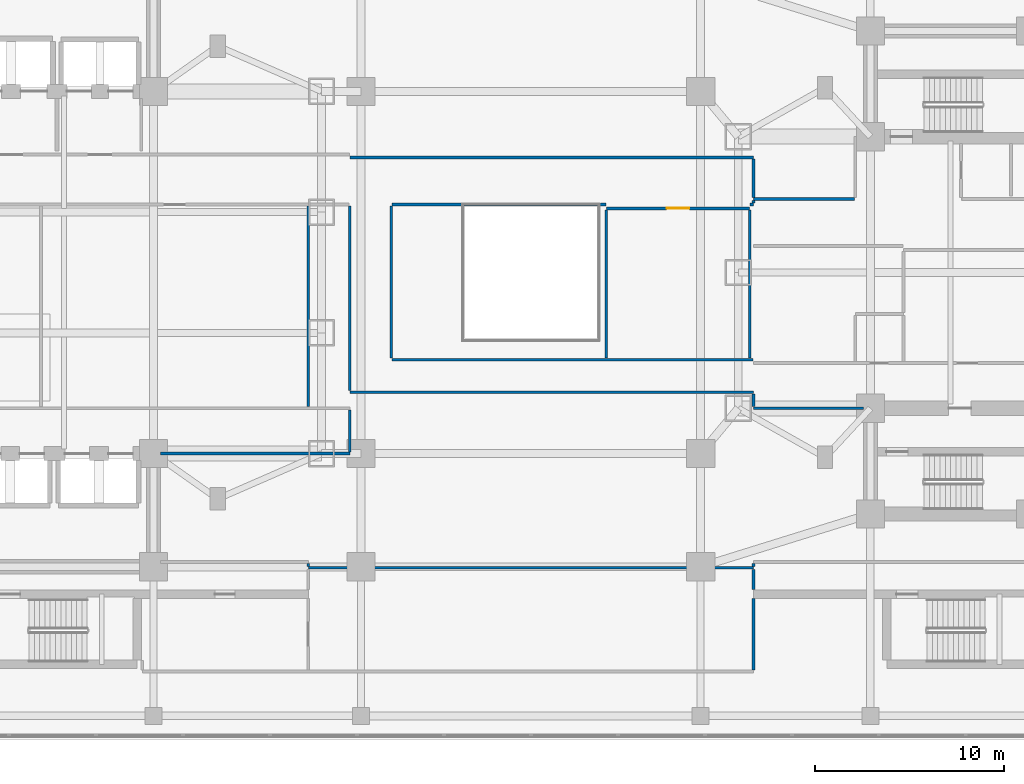
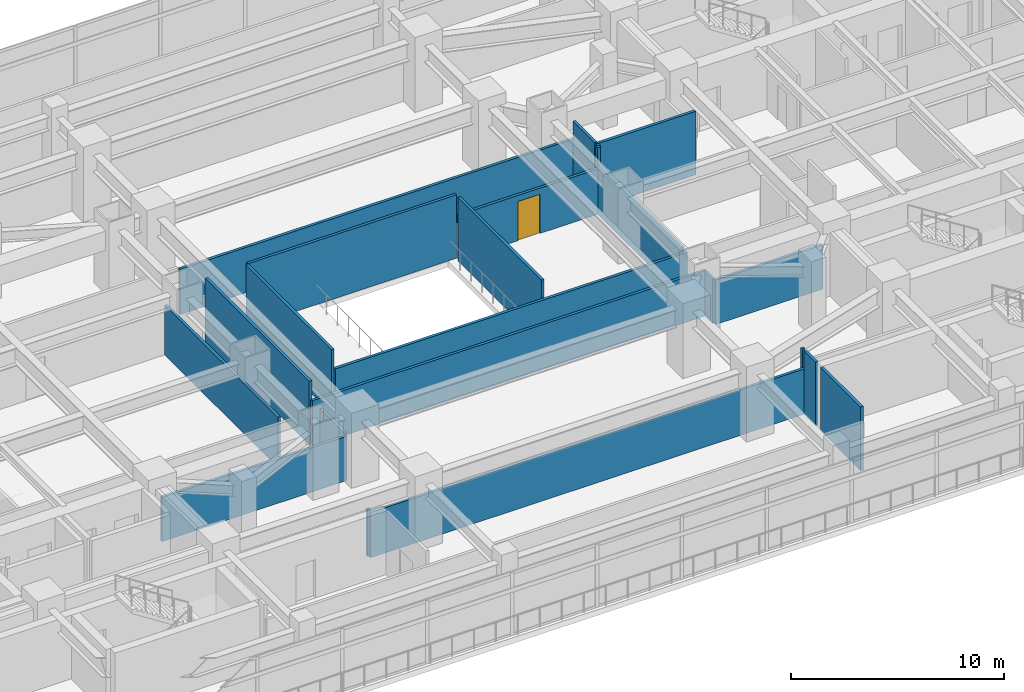
# One storey, part 14 of 26: 23 walls, 1 door, 1 opening.
"""IFC4 building model written with IfcOpenShell, lengths in metres."""

from ifc_helpers import new_model, si_unit, direction, frame, frame_2d, origin, place, context, subcontext, project, spatial, rectangle, extrude, material, layer, layer_set, type_object, element, fill, save


model = new_model("IFC4")

# Units and contexts
model_context = context("Model", 3, precision=1e-05, world=origin(), true_north=direction((0.0, 1.0)))
body_context = subcontext(model_context, "Body", "Model", "MODEL_VIEW")
ifc_project = project(units=[si_unit("LENGTHUNIT", "METRE"), si_unit("AREAUNIT", "SQUARE_METRE"), si_unit("VOLUMEUNIT", "CUBIC_METRE"), si_unit("PLANEANGLEUNIT", "RADIAN"), si_unit("MASSUNIT", "GRAM", prefix="KILO")], contexts=[model_context])

# Site, building, storey
site_placement = place(None, origin())
site = spatial("IfcSite", under=ifc_project, at=site_placement, CompositionType="ELEMENT")
building_placement = place(site_placement, origin())
building = spatial("IfcBuilding", under=site, at=building_placement, Name="Mirazonda Arch Towers", CompositionType="ELEMENT")
storey_placement = place(building_placement, frame((0.0, 0.0, 13.800048828125)))
storey = spatial("IfcBuildingStorey", under=building, at=storey_placement, Name="L03", CompositionType="ELEMENT", Elevation=13.800048828125)

# Walls
ifc_material_1 = material(Name="Fire-Rated Gypsum Stud Partition")
ifc_layer = layer(ifc_material_1, 0.14990234375, Name="WALL-PART-CORR-150")
ifc_layer_set = layer_set([ifc_layer], Name="Fire-Rated Gypsum Stud Partition")
wall_type = type_object("IfcWallType", Name="WALL-PART-CORR-150", PredefinedType="PARTITIONING", material=ifc_layer_set)
wall_1_placement = place(storey_placement, frame((38.199951171875, 12.35009765625, 0.0), z_axis=(0.0, 0.0, 1.0), x_axis=(1.0, 0.0, 0.0)))
element("IfcWall", 1, at=wall_1_placement, inside=storey, type_object=wall_type, Name="L03 Interior Partition 011", PredefinedType="PARTITIONING", context=body_context, shape_type="SweptSolid", body=[
    extrude(rectangle(XDim=23.60009765625, YDim=0.14990234375, at=frame_2d((11.800048828125, 0.0))), origin(), (0.0, 0.0, 1.0), 2.60205078125),
])
wall_2_placement = place(storey_placement, frame((30.3701171875, 18.39990234375, 0.0), z_axis=(0.0, 0.0, 1.0), x_axis=(1.0, 0.0, 0.0)))
element("IfcWall", 2, at=wall_2_placement, inside=storey, type_object=wall_type, Name="L03 Interior Partition 021", PredefinedType="PARTITIONING", context=body_context, shape_type="SweptSolid", body=[
    extrude(rectangle(XDim=10.02978515625, YDim=0.14990234375, at=frame_2d((5.014892578125, 0.0))), origin(), (0.0, 0.0, 1.0), 2.5419921875),
])
wall_3_placement = place(storey_placement, frame((61.800048828125, 20.800048828125, 0.0), z_axis=(0.0, 0.0, 1.0), x_axis=(1.0, 0.0, 0.0)))
element("IfcWall", 3, at=wall_3_placement, inside=storey, type_object=wall_type, Name="L03 Interior Partition 025", PredefinedType="PARTITIONING", context=body_context, shape_type="SweptSolid", body=[
    extrude(rectangle(XDim=5.829833984375, YDim=0.14990234375, at=frame_2d((2.9150390625, 0.0))), origin(), (0.0, 0.0, 1.0), 2.5419921875),
])
wall_4_placement = place(storey_placement, frame((40.39990234375, 21.64990234375, 0.0), z_axis=(0.0, 0.0, 1.0), x_axis=(1.0, 0.0, 0.0)))
element("IfcWall", 4, at=wall_4_placement, inside=storey, type_object=wall_type, Name="L03 Interior Partition 027", PredefinedType="PARTITIONING", context=body_context, shape_type="SweptSolid", body=[
    extrude(rectangle(XDim=21.400146484375, YDim=0.14990234375, at=frame_2d((10.7001953125, 0.0))), origin(), (0.0, 0.0, 1.0), 2.60205078125),
])
wall_5_placement = place(storey_placement, frame((42.64990234375, 23.375, 0.0), z_axis=(0.0, 0.0, 1.0), x_axis=(1.0, 0.0, 0.0)))
element("IfcWall", 5, at=wall_5_placement, inside=storey, type_object=wall_type, Name="L03 Interior Partition 029", PredefinedType="PARTITIONING", context=body_context, shape_type="SweptSolid", body=[
    extrude(rectangle(XDim=19.130126953125, YDim=0.14990234375, at=frame_2d((9.56494140625, 0.0))), origin(), (0.0, 0.0, 1.0), 2.60205078125),
])

# Wall, opening, door
wall_6_placement = place(storey_placement, frame((54.0, 31.39990234375, 0.0), z_axis=(0.0, 0.0, 1.0), x_axis=(1.0, 0.0, 0.0)))
wall_6 = element("IfcWall", 6, at=wall_6_placement, inside=storey, type_object=wall_type, Name="L03 Interior Partition 039", PredefinedType="PARTITIONING", context=body_context, shape_type="SweptSolid", body=[
    extrude(rectangle(XDim=7.60009765625, YDim=0.14990234375, at=frame_2d((3.800048828125, 0.0))), origin(), (0.0, 0.0, 1.0), 2.60205078125),
])
opening_placement = place(wall_6_placement, frame((3.199951171875, 0.0, 0.0)))
opening = element("IfcOpeningElement", 7, at=opening_placement, cuts=wall_6, Name="Opening DR-117", PredefinedType="OPENING", context=body_context, shape_type="SweptSolid", body=[
    extrude(rectangle(XDim=1.199951171875, YDim=2.25, at=frame_2d((0.60009765625, 1.125))), frame((0.0, 0.0849609375, 0.0), z_axis=(0.0, -1.0, 0.0), x_axis=(1.0, 0.0, 0.0)), (0.0, 0.0, 1.0), 0.169921875),
])
ifc_material_2 = material(Name="Architectural Brushed Steel S355", Category="steel")
door_type = type_object("IfcDoorType", Name="DOOR-FFL-FD90-1200", OperationType="NOTDEFINED", PredefinedType="DOOR", material=ifc_material_2)
door_placement = place(opening_placement, origin())
door = element("IfcDoor", 8, at=door_placement, inside=storey, type_object=door_type, Name="L03 L03 Arch-Crown East Hall Door", OperationType="SINGLE_SWING_RIGHT", OverallHeight=2.25, OverallWidth=1.199951171875, PredefinedType="DOOR", context=body_context, shape_type="SweptSolid", body=[
    extrude(rectangle(XDim=1.199951171875, YDim=2.25, at=frame_2d((0.60009765625, 1.125))), frame((0.0, 0.02490234375, 0.0), z_axis=(0.0, -1.0, 0.0), x_axis=(1.0, 0.0, 0.0)), (0.0, 0.0, 1.0), 0.050048828125),
])
fill(opening, door)

# Walls
wall_7_placement = place(storey_placement, frame((42.64990234375, 31.60009765625, 0.0), z_axis=(0.0, 0.0, 1.0), x_axis=(1.0, 0.0, 0.0)))
element("IfcWall", 9, at=wall_7_placement, inside=storey, type_object=wall_type, Name="L03 Interior Partition 041", PredefinedType="PARTITIONING", context=body_context, shape_type="SweptSolid", body=[
    extrude(rectangle(XDim=11.330078125, YDim=0.14990234375, at=frame_2d((5.6650390625, 0.0))), origin(), (0.0, 0.0, 1.0), 3.64990234375),
])
wall_8_placement = place(storey_placement, frame((61.6201171875, 31.60009765625, 0.0), z_axis=(0.0, 0.0, 1.0), x_axis=(1.0, 0.0, 0.0)))
element("IfcWall", 10, at=wall_8_placement, inside=storey, type_object=wall_type, Name="L03 Interior Partition 042", PredefinedType="PARTITIONING", context=body_context, shape_type="SweptSolid", body=[
    extrude(rectangle(XDim=0.179931640625, YDim=0.14990234375, at=frame_2d((0.08984375, 0.0))), origin(), (0.0, 0.0, 1.0), 3.64990234375),
])
wall_9_placement = place(storey_placement, frame((61.800048828125, 31.89990234375, 0.0), z_axis=(0.0, 0.0, 1.0), x_axis=(1.0, 0.0, 0.0)))
element("IfcWall", 11, at=wall_9_placement, inside=storey, type_object=wall_type, Name="L03 Interior Partition 043", PredefinedType="PARTITIONING", context=body_context, shape_type="SweptSolid", body=[
    extrude(rectangle(XDim=5.349853515625, YDim=0.14990234375, at=frame_2d((2.6748046875, 0.0))), origin(), (0.0, 0.0, 1.0), 3.64990234375),
])
wall_10_placement = place(storey_placement, frame((40.39990234375, 34.10009765625, 0.0), z_axis=(0.0, 0.0, 1.0), x_axis=(1.0, 0.0, 0.0)))
element("IfcWall", 12, at=wall_10_placement, inside=storey, type_object=wall_type, Name="L03 Interior Partition 045", PredefinedType="PARTITIONING", context=body_context, shape_type="SweptSolid", body=[
    extrude(rectangle(XDim=21.400146484375, YDim=0.14990234375, at=frame_2d((10.7001953125, 0.0))), origin(), (0.0, 0.0, 1.0), 2.60205078125),
])
wall_11_placement = place(storey_placement, frame((38.199951171875, 12.425048828125, 0.0), z_axis=(0.0, 0.0, 1.0), x_axis=(0.0, 1.0, 0.0)))
element("IfcWall", 13, at=wall_11_placement, inside=storey, type_object=wall_type, Name="L03 Interior Partition 097", PredefinedType="PARTITIONING", context=body_context, shape_type="SweptSolid", body=[
    extrude(rectangle(XDim=0.14990234375, YDim=0.14990234375, at=frame_2d((0.074951171875, 0.0))), origin(), (0.0, 0.0, 1.0), 2.69384765625),
])
wall_12_placement = place(storey_placement, frame((38.199951171875, 20.885009765625, 0.0), z_axis=(0.0, 0.0, 1.0), x_axis=(0.0, 1.0, 0.0)))
element("IfcWall", 14, at=wall_12_placement, inside=storey, type_object=wall_type, Name="L03 Interior Partition 098", PredefinedType="PARTITIONING", context=body_context, shape_type="SweptSolid", body=[
    extrude(rectangle(XDim=10.6298828125, YDim=0.14990234375, at=frame_2d((5.31494140625, 0.0))), origin(), (0.0, 0.0, 1.0), 2.868896484375),
])
wall_13_placement = place(storey_placement, frame((40.39990234375, 18.485107421875, 0.0), z_axis=(0.0, 0.0, 1.0), x_axis=(0.0, 1.0, 0.0)))
element("IfcWall", 15, at=wall_13_placement, inside=storey, type_object=wall_type, Name="L03 Interior Partition 099", PredefinedType="PARTITIONING", context=body_context, shape_type="SweptSolid", body=[
    extrude(rectangle(XDim=2.22998046875, YDim=0.14990234375, at=frame_2d((1.114990234375, 0.0))), origin(), (0.0, 0.0, 1.0), 2.69384765625),
])
wall_14_placement = place(storey_placement, frame((40.39990234375, 21.735107421875, 0.0), z_axis=(0.0, 0.0, 1.0), x_axis=(0.0, 1.0, 0.0)))
element("IfcWall", 16, at=wall_14_placement, inside=storey, type_object=wall_type, Name="L03 Interior Partition 100", PredefinedType="PARTITIONING", context=body_context, shape_type="SweptSolid", body=[
    extrude(rectangle(XDim=9.77978515625, YDim=0.14990234375, at=frame_2d((4.889892578125, 0.0))), origin(), (0.0, 0.0, 1.0), 3.64990234375),
])
wall_15_placement = place(storey_placement, frame((42.60009765625, 23.4599609375, 0.0), z_axis=(0.0, 0.0, 1.0), x_axis=(0.0, 1.0, 0.0)))
element("IfcWall", 17, at=wall_15_placement, inside=storey, type_object=wall_type, Name="L03 Interior Partition 101", PredefinedType="PARTITIONING", context=body_context, shape_type="SweptSolid", body=[
    extrude(rectangle(XDim=8.054931640625, YDim=0.14990234375, at=frame_2d((4.02734375, 0.0))), origin(), (0.0, 0.0, 1.0), 3.64990234375),
])
wall_16_placement = place(storey_placement, frame((54.0, 23.4599609375, 0.0), z_axis=(0.0, 0.0, 1.0), x_axis=(0.0, 1.0, 0.0)))
element("IfcWall", 18, at=wall_16_placement, inside=storey, type_object=wall_type, Name="L03 Interior Partition 102", PredefinedType="PARTITIONING", context=body_context, shape_type="SweptSolid", body=[
    extrude(rectangle(XDim=7.85498046875, YDim=0.14990234375, at=frame_2d((3.927490234375, 0.0))), origin(), (0.0, 0.0, 1.0), 3.64990234375),
])
wall_17_placement = place(storey_placement, frame((61.60009765625, 23.4599609375, 0.0), z_axis=(0.0, 0.0, 1.0), x_axis=(0.0, 1.0, 0.0)))
element("IfcWall", 19, at=wall_17_placement, inside=storey, type_object=wall_type, Name="L03 Interior Partition 103", PredefinedType="PARTITIONING", context=body_context, shape_type="SweptSolid", body=[
    extrude(rectangle(XDim=7.85498046875, YDim=0.14990234375, at=frame_2d((3.927490234375, 0.0))), origin(), (0.0, 0.0, 1.0), 2.868896484375),
])
wall_18_placement = place(storey_placement, frame((61.800048828125, 6.93505859375, 0.0), z_axis=(0.0, 0.0, 1.0), x_axis=(0.0, 1.0, 0.0)))
element("IfcWall", 20, at=wall_18_placement, inside=storey, type_object=wall_type, Name="L03 Interior Partition 104", PredefinedType="PARTITIONING", context=body_context, shape_type="SweptSolid", body=[
    extrude(rectangle(XDim=3.780029296875, YDim=0.14990234375, at=frame_2d((1.89013671875, 0.0))), origin(), (0.0, 0.0, 1.0), 3.64990234375),
])
wall_19_placement = place(storey_placement, frame((61.800048828125, 11.18505859375, 0.0), z_axis=(0.0, 0.0, 1.0), x_axis=(0.0, 1.0, 0.0)))
element("IfcWall", 21, at=wall_19_placement, inside=storey, type_object=wall_type, Name="L03 Interior Partition 105", PredefinedType="PARTITIONING", context=body_context, shape_type="SweptSolid", body=[
    extrude(rectangle(XDim=1.079833984375, YDim=0.14990234375, at=frame_2d((0.5400390625, 0.0))), origin(), (0.0, 0.0, 1.0), 3.64990234375),
])
wall_20_placement = place(storey_placement, frame((61.800048828125, 12.425048828125, 0.0), z_axis=(0.0, 0.0, 1.0), x_axis=(0.0, 1.0, 0.0)))
element("IfcWall", 22, at=wall_20_placement, inside=storey, type_object=wall_type, Name="L03 Interior Partition 106", PredefinedType="PARTITIONING", context=body_context, shape_type="SweptSolid", body=[
    extrude(rectangle(XDim=0.14990234375, YDim=0.14990234375, at=frame_2d((0.074951171875, 0.0))), origin(), (0.0, 0.0, 1.0), 3.64990234375),
])
wall_21_placement = place(storey_placement, frame((61.800048828125, 20.885009765625, 0.0), z_axis=(0.0, 0.0, 1.0), x_axis=(0.0, 1.0, 0.0)))
element("IfcWall", 23, at=wall_21_placement, inside=storey, type_object=wall_type, Name="L03 Interior Partition 107", PredefinedType="PARTITIONING", context=body_context, shape_type="SweptSolid", body=[
    extrude(rectangle(XDim=0.679931640625, YDim=0.14990234375, at=frame_2d((0.33984375, 0.0))), origin(), (0.0, 0.0, 1.0), 2.5419921875),
])
wall_22_placement = place(storey_placement, frame((61.800048828125, 31.675048828125, 0.0), z_axis=(0.0, 0.0, 1.0), x_axis=(0.0, 1.0, 0.0)))
element("IfcWall", 24, at=wall_22_placement, inside=storey, type_object=wall_type, Name="L03 Interior Partition 108", PredefinedType="PARTITIONING", context=body_context, shape_type="SweptSolid", body=[
    extrude(rectangle(XDim=0.14990234375, YDim=0.14990234375, at=frame_2d((0.074951171875, 0.0))), origin(), (0.0, 0.0, 1.0), 3.64990234375),
])
wall_23_placement = place(storey_placement, frame((61.800048828125, 31.985107421875, 0.0), z_axis=(0.0, 0.0, 1.0), x_axis=(0.0, 1.0, 0.0)))
element("IfcWall", 25, at=wall_23_placement, inside=storey, type_object=wall_type, Name="L03 Interior Partition 109", PredefinedType="PARTITIONING", context=body_context, shape_type="SweptSolid", body=[
    extrude(rectangle(XDim=2.02978515625, YDim=0.14990234375, at=frame_2d((1.014892578125, 0.0))), origin(), (0.0, 0.0, 1.0), 3.64990234375),
])

save(model, "model.ifc")
